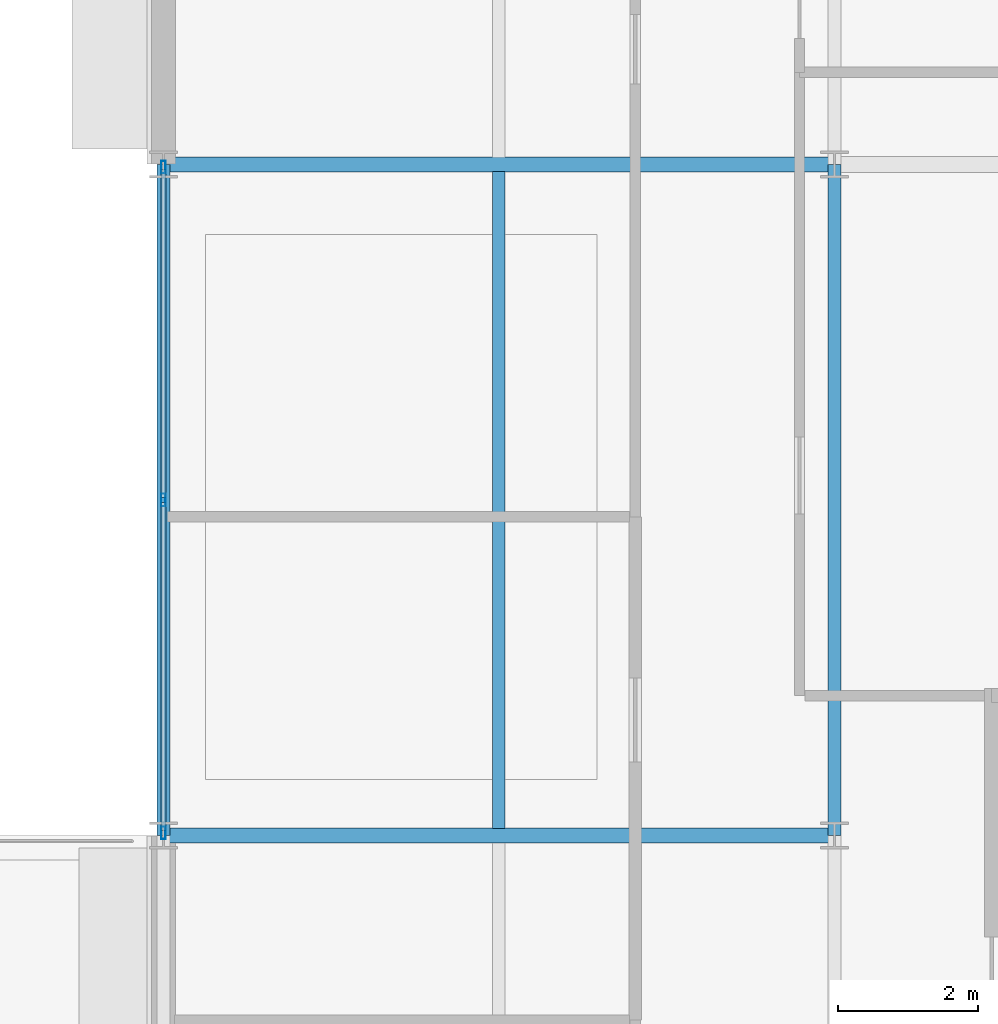
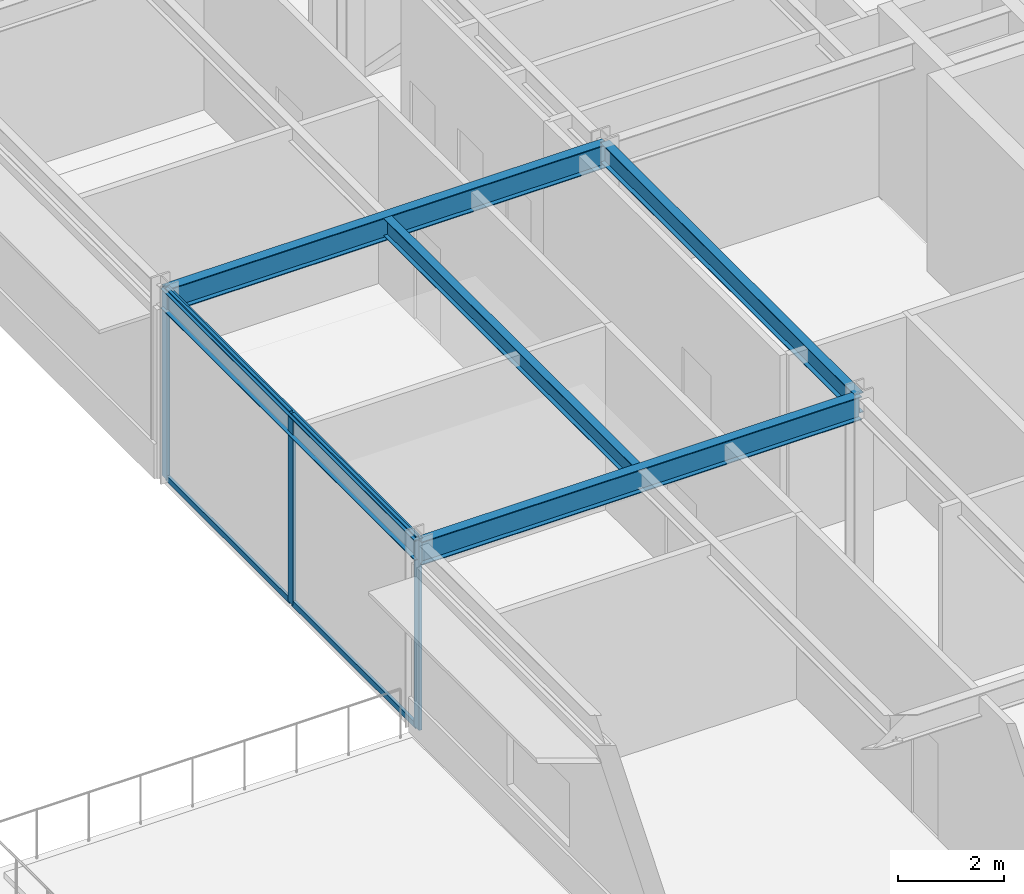
# One storey, part 92 of 157: 7 members, 5 beams, 1 element without a shape of its own.
"""IFC4 building model written with IfcOpenShell, lengths in metres."""

from ifc_helpers import new_model, si_unit, direction, frame, origin, origin_2d, place, context, subcontext, project, spatial, hollow_rectangle, i_section, extrude, material, material_profile, profile_set, type_object, element, aggregate, save


model = new_model("IFC4")

# Units and contexts
model_context = context("Model", 3, precision=1e-05, world=origin(), true_north=direction((0.0, 1.0)))
body_context = subcontext(model_context, "Body", "Model", "MODEL_VIEW")
ifc_project = project(units=[si_unit("LENGTHUNIT", "METRE"), si_unit("AREAUNIT", "SQUARE_METRE"), si_unit("VOLUMEUNIT", "CUBIC_METRE"), si_unit("PLANEANGLEUNIT", "RADIAN"), si_unit("MASSUNIT", "GRAM", prefix="KILO")], contexts=[model_context])

# Site, building, storey
site_placement = place(None, origin())
site = spatial("IfcSite", under=ifc_project, at=site_placement, CompositionType="ELEMENT")
building_placement = place(site_placement, origin())
building = spatial("IfcBuilding", under=site, at=building_placement, Name="Almandine Court Research Institute", CompositionType="ELEMENT")
storey_placement = place(building_placement, frame((0.0, 0.0, 5.25)))
storey = spatial("IfcBuildingStorey", under=building, at=storey_placement, Name="L01", CompositionType="ELEMENT", Elevation=5.25)

# Beams
ifc_material_1 = material(Name="Steel ASTM A992 Grade 50", Category="steel")
ifc_material_profile_1 = material_profile(ifc_material_1, i_section(OverallWidth=0.18994140625, OverallDepth=0.45703125, WebThickness=0.009033203125, FlangeThickness=0.014892578125, at=origin_2d()), Name="W460x74")
ifc_profile_set_1 = profile_set([ifc_material_profile_1], Name="Steel ASTM A992 Grade 50")
beam_type_1 = type_object("IfcBeamType", Name="Beam-B-01", PredefinedType="BEAM", material=ifc_profile_set_1)
for number, where, z_axis, x_axis, name in (
    (1, (153.60009765625, 25.199951171875, 4.14111328125), (0.0, 1.0, 0.0), (-1.0, 0.0, 0.0), "L01 V4 Primary Y Girder"),
    (2, (163.199951171875, 25.199951171875, 4.14111328125), (0.0, 1.0, 0.0), (-1.0, 0.0, 0.0), "L01 V4 Primary Y Girder"),
):
    element("IfcBeam", number, at=place(storey_placement, frame(where, z_axis=z_axis, x_axis=x_axis)), inside=storey, type_object=beam_type_1, Name=name, PredefinedType="BEAM", context=body_context, shape_type="SweptSolid", body=[
        extrude(i_section(OverallWidth=0.18994140625, OverallDepth=0.45703125, WebThickness=0.009033203125, FlangeThickness=0.014892578125, at=origin_2d()), origin(), (0.0, 0.0, 1.0), 9.60009765625),
    ])
ifc_material_profile_2 = material_profile(ifc_material_1, i_section(OverallWidth=0.178955078125, OverallDepth=0.409912109375, WebThickness=0.009033203125, FlangeThickness=0.013916015625, at=origin_2d()), Name="W410x67")
ifc_profile_set_2 = profile_set([ifc_material_profile_2], Name="Steel ASTM A992 Grade 50")
beam_type_2 = type_object("IfcBeamType", Name="Beam-B-02", PredefinedType="JOIST", material=ifc_profile_set_2)
beam_placement = place(storey_placement, frame((158.39990234375, 25.302978515625, 4.1650390625), z_axis=(0.0, 1.0, 0.0), x_axis=(-1.0, 0.0, 0.0)))
element("IfcBeam", 3, at=beam_placement, inside=storey, type_object=beam_type_2, Name="L01 V4 Composite Secondary Beam", PredefinedType="JOIST", context=body_context, shape_type="SweptSolid", body=[
    extrude(i_section(OverallWidth=0.178955078125, OverallDepth=0.409912109375, WebThickness=0.009033203125, FlangeThickness=0.013916015625, at=origin_2d()), origin(), (0.0, 0.0, 1.0), 9.39404296875),
])
ifc_material_profile_3 = material_profile(ifc_material_1, i_section(OverallWidth=0.2109375, OverallDepth=0.5390625, WebThickness=0.011962890625, FlangeThickness=0.01904296875, at=origin_2d()), Name="W530x109")
ifc_profile_set_3 = profile_set([ifc_material_profile_3], Name="Steel ASTM A992 Grade 50")
beam_type_3 = type_object("IfcBeamType", Name="Beam-G-04", PredefinedType="BEAM", material=ifc_profile_set_3)
for number, where, z_axis, x_axis, name in (
    (4, (153.60009765625, 25.199951171875, 4.10009765625), (1.0, 0.0, 0.0), (0.0, 1.0, 0.0), "L01 V4 Primary X Girder"),
    (5, (153.60009765625, 34.800048828125, 4.10009765625), (1.0, 0.0, 0.0), (0.0, 1.0, 0.0), "L01 V4 Primary X Girder"),
):
    element("IfcBeam", number, at=place(storey_placement, frame(where, z_axis=z_axis, x_axis=x_axis)), inside=storey, type_object=beam_type_3, Name=name, PredefinedType="BEAM", context=body_context, shape_type="SweptSolid", body=[
        extrude(i_section(OverallWidth=0.2109375, OverallDepth=0.5390625, WebThickness=0.011962890625, FlangeThickness=0.01904296875, at=origin_2d()), origin(), (0.0, 0.0, 1.0), 9.599853515625),
    ])

# Curtain wall, members
ifc_material_2 = material(Name="Unitised Curtain Wall Framing and Solar Glazing", Category="glass")
curtain_wall_type = type_object("IfcCurtainWallType", Name="CW-CWJ-02", PredefinedType="USERDEFINED", material=ifc_material_2)
curtain_wall_placement = place(storey_placement, origin())
curtain_wall = element("IfcCurtainWall", 6, at=curtain_wall_placement, inside=storey, type_object=curtain_wall_type, Name="L01 Wet Lab West Courtyard Jali Curtain Wall 3", ObjectType="SOLAR JALI SCREEN", PredefinedType="USERDEFINED")
ifc_material_3 = material(Name="Anodised Aluminium AW-6063-T6", Category="aluminium")
ifc_material_profile_4 = material_profile(ifc_material_3, hollow_rectangle(XDim=0.06494140625, YDim=0.179931640625, WallThickness=0.00390625, at=origin_2d()), Name="ALU RHS 65x180x4")
ifc_profile_set_4 = profile_set([ifc_material_profile_4], Name="Anodised Aluminium AW-6063-T6")
member_type_1 = type_object("IfcMemberType", Name="CWMul-65x180", PredefinedType="MULLION", material=ifc_profile_set_4)
member_1_placement = place(storey_placement, frame((153.60009765625, 25.236572265625, 0.0), z_axis=(0.0, 0.0, 1.0), x_axis=(-1.0, 0.0, 0.0)))
member_1 = element("IfcMember", 7, at=member_1_placement, type_object=member_type_1, Name="CWJ-02 mullion 1", PredefinedType="MULLION", context=body_context, shape_type="SweptSolid", body=[
    extrude(hollow_rectangle(XDim=0.06494140625, YDim=0.179931640625, WallThickness=0.00390625, at=origin_2d()), origin(), (0.0, 0.0, 1.0), 4.3701171875),
])
member_2_placement = place(storey_placement, frame((153.60009765625, 30.0, 0.0), z_axis=(0.0, 0.0, 1.0), x_axis=(-1.0, 0.0, 0.0)))
member_2 = element("IfcMember", 8, at=member_2_placement, type_object=member_type_1, Name="CWJ-02 mullion 2", PredefinedType="MULLION", context=body_context, shape_type="SweptSolid", body=[
    extrude(hollow_rectangle(XDim=0.06494140625, YDim=0.179931640625, WallThickness=0.00390625, at=origin_2d()), origin(), (0.0, 0.0, 1.0), 4.3701171875),
])
member_3_placement = place(storey_placement, frame((153.60009765625, 34.763427734375, 0.0), z_axis=(0.0, 0.0, 1.0), x_axis=(-1.0, 0.0, 0.0)))
member_3 = element("IfcMember", 9, at=member_3_placement, type_object=member_type_1, Name="CWJ-02 mullion 3", PredefinedType="MULLION", context=body_context, shape_type="SweptSolid", body=[
    extrude(hollow_rectangle(XDim=0.06494140625, YDim=0.179931640625, WallThickness=0.00390625, at=origin_2d()), origin(), (0.0, 0.0, 1.0), 4.3701171875),
])
ifc_material_profile_5 = material_profile(ifc_material_3, hollow_rectangle(XDim=0.06494140625, YDim=0.1298828125, WallThickness=0.00390625, at=origin_2d()), Name="ALU RHS 65x130x4")
ifc_profile_set_5 = profile_set([ifc_material_profile_5], Name="Anodised Aluminium AW-6063-T6")
member_type_2 = type_object("IfcMemberType", Name="CWTrn-65x130", PredefinedType="NOTDEFINED", material=ifc_profile_set_5)
member_4_placement = place(storey_placement, frame((153.60009765625, 25.26904296875, 0.032470703125), z_axis=(0.0, 1.0, 0.0), x_axis=(-1.0, 0.0, 0.0)))
member_4 = element("IfcMember", 10, at=member_4_placement, type_object=member_type_2, Name="CWJ-02 transom 1.1", ObjectType="TRANSOM", PredefinedType="USERDEFINED", context=body_context, shape_type="SweptSolid", body=[
    extrude(hollow_rectangle(XDim=0.06494140625, YDim=0.1298828125, WallThickness=0.00390625, at=origin_2d()), origin(), (0.0, 0.0, 1.0), 4.698486328125),
])
member_5_placement = place(storey_placement, frame((153.60009765625, 25.26904296875, 4.33740234375), z_axis=(0.0, 1.0, 0.0), x_axis=(-1.0, 0.0, 0.0)))
member_5 = element("IfcMember", 11, at=member_5_placement, type_object=member_type_2, Name="CWJ-02 transom 1.2", ObjectType="TRANSOM", PredefinedType="USERDEFINED", context=body_context, shape_type="SweptSolid", body=[
    extrude(hollow_rectangle(XDim=0.06494140625, YDim=0.1298828125, WallThickness=0.00390625, at=origin_2d()), origin(), (0.0, 0.0, 1.0), 4.698486328125),
])
member_6_placement = place(storey_placement, frame((153.60009765625, 30.032470703125, 0.032470703125), z_axis=(0.0, 1.0, 0.0), x_axis=(-1.0, 0.0, 0.0)))
member_6 = element("IfcMember", 12, at=member_6_placement, type_object=member_type_2, Name="CWJ-02 transom 2.1", ObjectType="TRANSOM", PredefinedType="USERDEFINED", context=body_context, shape_type="SweptSolid", body=[
    extrude(hollow_rectangle(XDim=0.06494140625, YDim=0.1298828125, WallThickness=0.00390625, at=origin_2d()), origin(), (0.0, 0.0, 1.0), 4.698486328125),
])
member_7_placement = place(storey_placement, frame((153.60009765625, 30.032470703125, 4.33740234375), z_axis=(0.0, 1.0, 0.0), x_axis=(-1.0, 0.0, 0.0)))
member_7 = element("IfcMember", 13, at=member_7_placement, type_object=member_type_2, Name="CWJ-02 transom 2.2", ObjectType="TRANSOM", PredefinedType="USERDEFINED", context=body_context, shape_type="SweptSolid", body=[
    extrude(hollow_rectangle(XDim=0.06494140625, YDim=0.1298828125, WallThickness=0.00390625, at=origin_2d()), origin(), (0.0, 0.0, 1.0), 4.698486328125),
])
aggregate(curtain_wall, [member_1, member_2, member_3, member_4, member_5, member_6, member_7])

save(model, "model.ifc")
